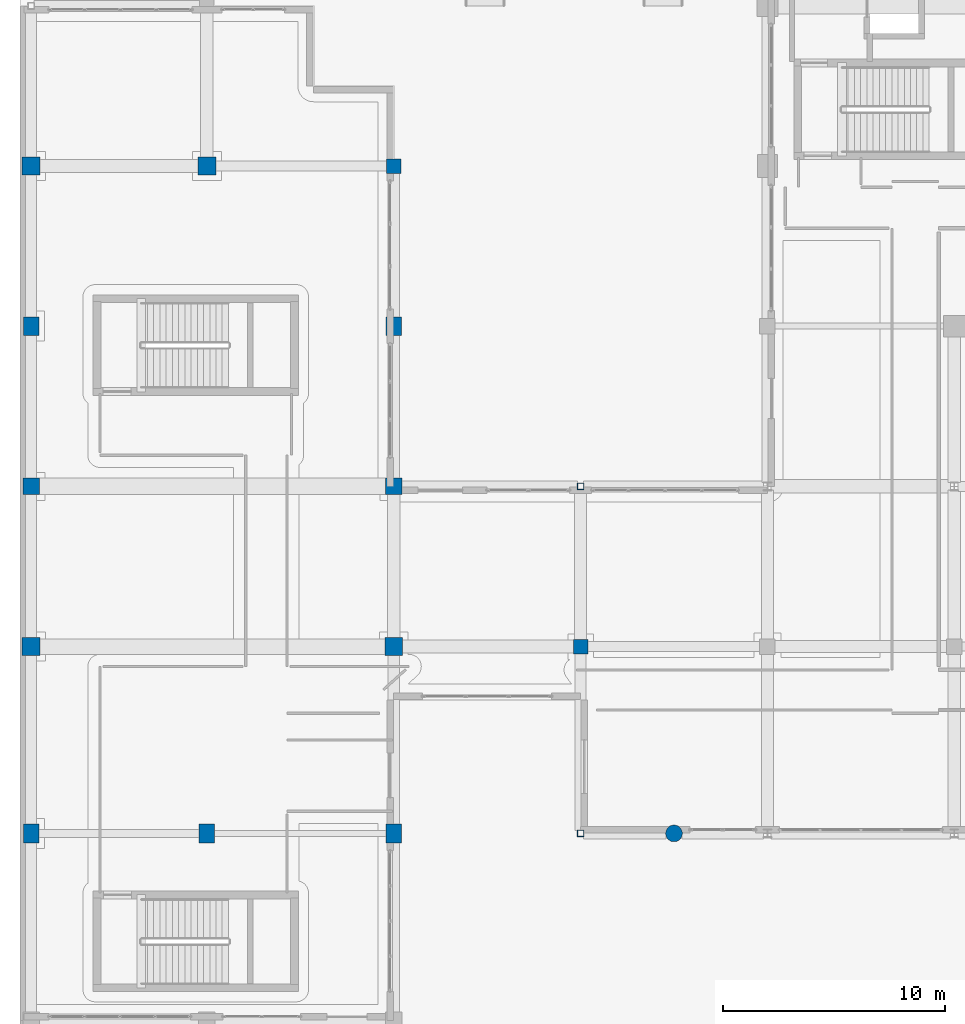
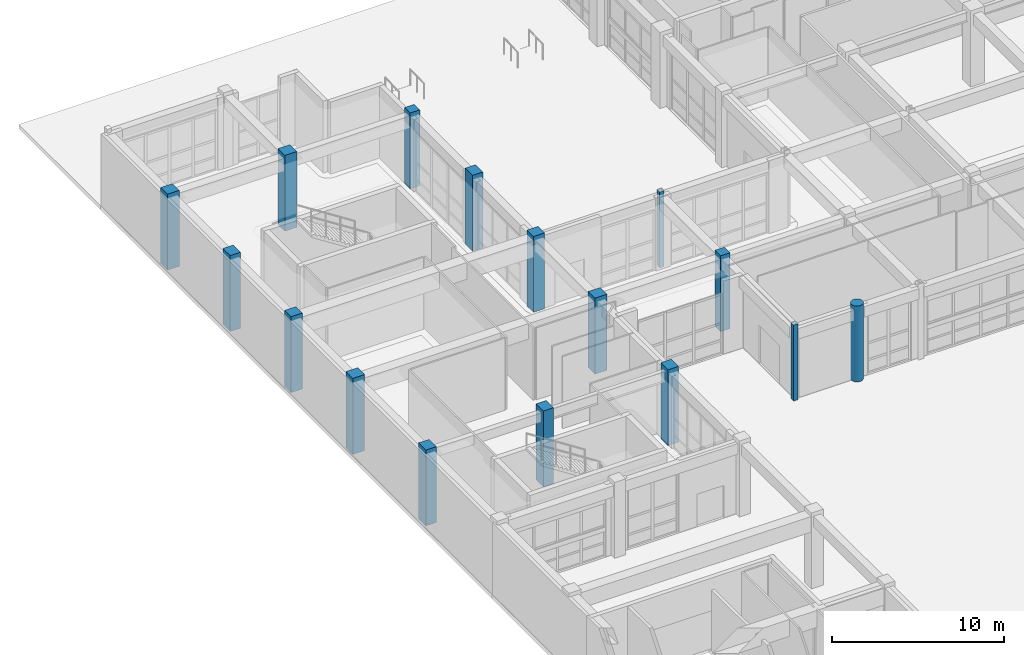
# One storey, part 6 of 148: 16 columns.
"""IFC4 building model written with IfcOpenShell, lengths in metres."""

import ifcopenshell
import ifcopenshell.guid

model = None  # the IFC model being written
_history = None  # IfcOwnerHistory: only IFC2X3 demands one
_inside = {}  # id of a spatial element -> (the spatial element, [elements in it])
_under = {}  # id of a project, library or spatial element -> (it, [spatial elements below it])
_declared = {}  # id of a project -> (the project, [libraries it declares])
_typed = {}  # id of a type object -> (the type object, [elements of that type])
_made_of = {}  # id of a material, layer set ... -> (it, [elements and type objects made of it])


def new_model(schema):
    """Start an empty IFC model of exactly this schema.

    Asked for "IFC4X3", IfcOpenShell would pick the latest addendum, in which some entities
    have other attributes; the version numbers below select the first issue.
    IFC2X3 requires an IfcOwnerHistory on every rooted entity: one is made here for all.
    """
    global model, _history
    if schema == "IFC4X3":
        model = ifcopenshell.file(schema_version=(4, 3, 0, 0))
    else:
        model = ifcopenshell.file(schema=schema)
    _inside.clear()
    _under.clear()
    _declared.clear()
    _typed.clear()
    _made_of.clear()
    _history = None
    if model.schema == "IFC2X3":
        org = make("IfcOrganization", Name="unknown")
        user = make(
            "IfcPersonAndOrganization",
            ThePerson=make("IfcPerson", FamilyName="unknown"),
            TheOrganization=org,
        )
        app = make(
            "IfcApplication",
            ApplicationDeveloper=org,
            Version="unknown",
            ApplicationFullName="unknown",
            ApplicationIdentifier="unknown",
        )
        _history = make(
            "IfcOwnerHistory",
            OwningUser=user,
            OwningApplication=app,
            ChangeAction="ADDED",
            CreationDate=0,
        )
    return model


def make(cls, **values):
    """One entity of the class cls with the attributes given. An attribute that is None is left unset."""
    return model.create_entity(
        cls, **{name: value for name, value in values.items() if value is not None}
    )


def rooted(cls, **values):
    """An entity with a GlobalId (a new one), such as an element, a storey or a relation."""
    return make(cls, GlobalId=ifcopenshell.guid.new(), OwnerHistory=_history, **values)


def si_unit(unit_type, name, prefix=None):
    """IfcSIUnit, for example si_unit("LENGTHUNIT", "METRE", prefix="MILLI")."""
    return make("IfcSIUnit", UnitType=unit_type, Prefix=prefix, Name=name)


def assignment(units):
    """IfcUnitAssignment: the units of a project."""
    return None if units is None else make("IfcUnitAssignment", Units=units)


def point(xyz):
    """IfcCartesianPoint."""
    return None if xyz is None else make("IfcCartesianPoint", Coordinates=xyz)


def direction(xyz):
    """IfcDirection."""
    return None if xyz is None else make("IfcDirection", DirectionRatios=xyz)


def frame(location, z_axis=None, x_axis=None):
    """IfcAxis2Placement3D, a coordinate frame: its origin and axes. An axis left out is left unset."""
    return make(
        "IfcAxis2Placement3D",
        Location=point(location),
        Axis=direction(z_axis),
        RefDirection=direction(x_axis),
    )


def frame_2d(location, x_axis=None):
    """IfcAxis2Placement2D, a coordinate frame in the plane: its origin and x axis."""
    return make(
        "IfcAxis2Placement2D", Location=point(location), RefDirection=direction(x_axis)
    )


def origin():
    """The frame at (0, 0, 0) with its axes left unset."""
    return frame((0.0, 0.0, 0.0))


def origin_2d():
    """The frame at (0, 0) in the plane with its x axis left unset."""
    return frame_2d((0.0, 0.0))


def place(relative_to, where):
    """IfcLocalPlacement: puts the frame where relative to a parent placement (None: the world)."""
    return make(
        "IfcLocalPlacement", PlacementRelTo=relative_to, RelativePlacement=where
    )


def context(
    kind, dimensions, precision=None, world=None, true_north=None, identifier=None
):
    """IfcGeometricRepresentationContext, for example the 3D "Model" context."""
    return make(
        "IfcGeometricRepresentationContext",
        ContextIdentifier=identifier,
        ContextType=kind,
        CoordinateSpaceDimension=dimensions,
        Precision=precision,
        WorldCoordinateSystem=world,
        TrueNorth=true_north,
    )


def subcontext(parent, identifier, kind, view, scale=None):
    """IfcGeometricRepresentationSubContext, for example "Body" below "Model"."""
    return make(
        "IfcGeometricRepresentationSubContext",
        ContextIdentifier=identifier,
        ContextType=kind,
        ParentContext=parent,
        TargetScale=scale,
        TargetView=view,
    )


def project(units=None, contexts=None):
    """IfcProject with its units and contexts."""
    return rooted(
        "IfcProject",
        Name="project",
        RepresentationContexts=contexts,
        UnitsInContext=assignment(units),
    )


def spatial(cls, under=None, at=None, **own):
    """A site, building, storey or space (cls), placed at a placement, below another one or the project."""
    s = rooted(cls, ObjectPlacement=at, **own)
    if under is not None:
        _under.setdefault(under.id(), (under, []))[1].append(s)
    return s


def profile(cls, at=None, kind="AREA", **sizes):
    """A parametric profile (cls). Its sizes go by their IFC names, for example OverallWidth=200.0."""
    return make(cls, ProfileType=kind, Position=at, **sizes)


def rectangle(**sizes):
    """IfcRectangleProfileDef."""
    return profile("IfcRectangleProfileDef", **sizes)


def hollow_rectangle(**sizes):
    """IfcRectangleHollowProfileDef."""
    return profile("IfcRectangleHollowProfileDef", **sizes)


def circle(**sizes):
    """IfcCircleProfileDef."""
    return profile("IfcCircleProfileDef", **sizes)


def extrude(swept, where, along, depth):
    """IfcExtrudedAreaSolid: the profile swept, set in the frame where, extruded along a direction by depth."""
    return make(
        "IfcExtrudedAreaSolid",
        SweptArea=swept,
        Position=where,
        ExtrudedDirection=direction(along),
        Depth=depth,
    )


def shape(context_of_items, identifier, shape_type, items):
    """IfcShapeRepresentation: the items that make up one representation, for example the "Body"."""
    return make(
        "IfcShapeRepresentation",
        ContextOfItems=context_of_items,
        RepresentationIdentifier=identifier,
        RepresentationType=shape_type,
        Items=items,
    )


def material(Name=None, Category=None):
    """IfcMaterial."""
    return make("IfcMaterial", Name=Name, Category=Category)


def material_profile(
    of_material, cross_section, Name=None, Category=None, Priority=None
):
    """IfcMaterialProfile: a cross section and its material."""
    return make(
        "IfcMaterialProfile",
        Name=Name,
        Material=of_material,
        Profile=cross_section,
        Priority=Priority,
        Category=Category,
    )


def profile_set(profiles, Name=None, composite=None):
    """IfcMaterialProfileSet."""
    return make(
        "IfcMaterialProfileSet",
        Name=Name,
        MaterialProfiles=profiles,
        CompositeProfile=composite,
    )


def made_of(thing, what):
    """Note that an element or type object is made of a material, layer set ...; save() writes the relation."""
    if what is not None:
        _made_of.setdefault(what.id(), (what, []))[1].append(thing)
    return thing


def type_object(cls, material=None, **own):
    """A type object (cls), such as IfcWallType, which elements share."""
    return made_of(rooted(cls, **own), material)


def element(
    cls,
    number,
    at=None,
    inside=None,
    cuts=None,
    type_object=None,
    material=None,
    context=None,
    identifier="Body",
    shape_type=None,
    held_by="IfcProductDefinitionShape",
    body=None,
    shapes=None,
    **own,
):
    """One element of the class cls, such as IfcWall. Its Tag is "e" and its number.

    at: its placement. inside: the storey or other place that contains it. cuts: it is an
    opening in that element (IfcRelVoidsElement). A single representation is given by context,
    identifier, shape_type and body (its items); several are given by shapes. held_by: the class
    of the entity that holds the representations. save() writes the other relations.
    """
    e = rooted(cls, Tag="e%d" % number, ObjectPlacement=at, **own)
    if body is not None:
        shapes = [shape(context, identifier, shape_type, body)]
    if shapes is not None:
        e.Representation = make(held_by, Representations=shapes)
    if inside is not None:
        _inside.setdefault(inside.id(), (inside, []))[1].append(e)
    if cuts is not None:
        rooted(
            "IfcRelVoidsElement", RelatingBuildingElement=cuts, RelatedOpeningElement=e
        )
    if type_object is not None:
        _typed.setdefault(type_object.id(), (type_object, []))[1].append(e)
    return made_of(e, material)


def aggregate(whole, parts):
    """IfcRelAggregates: a whole, such as a stair, and the parts it consists of."""
    return rooted("IfcRelAggregates", RelatingObject=whole, RelatedObjects=parts)


def save(model, path):
    """Write the relations noted so far, then the file.

    IfcRelAggregates (storeys below a building ...), IfcRelContainedInSpatialStructure (elements
    in a storey), IfcRelDefinesByType, IfcRelAssociatesMaterial and IfcRelDeclares: one each for
    every whole, place, type object, material and project.
    """
    for whole, parts in _under.values():
        aggregate(whole, parts)
    for where, things in _inside.values():
        rooted(
            "IfcRelContainedInSpatialStructure",
            RelatedElements=things,
            RelatingStructure=where,
        )
    for kind, things in _typed.values():
        rooted("IfcRelDefinesByType", RelatedObjects=things, RelatingType=kind)
    for what, things in _made_of.values():
        rooted("IfcRelAssociatesMaterial", RelatedObjects=things, RelatingMaterial=what)
    for by, libraries in _declared.values():
        rooted("IfcRelDeclares", RelatingContext=by, RelatedDefinitions=libraries)
    model.write(path)


model = new_model("IFC4")

# Units and contexts
model_context = context("Model", 3, precision=1e-05, world=origin(), true_north=direction((0.0, 1.0)))
body_context = subcontext(model_context, "Body", "Model", "MODEL_VIEW")
ifc_project = project(units=[si_unit("LENGTHUNIT", "METRE"), si_unit("AREAUNIT", "SQUARE_METRE"), si_unit("VOLUMEUNIT", "CUBIC_METRE"), si_unit("PLANEANGLEUNIT", "RADIAN"), si_unit("MASSUNIT", "GRAM", prefix="KILO")], contexts=[model_context])

# Site, building, storey
site_placement = place(None, origin())
site = spatial("IfcSite", under=ifc_project, at=site_placement, CompositionType="ELEMENT")
building_placement = place(site_placement, origin())
building = spatial("IfcBuilding", under=site, at=building_placement, Name="Quendrovan Civic Courthouse", CompositionType="ELEMENT")
storey_placement = place(building_placement, origin())
storey = spatial("IfcBuildingStorey", under=building, at=storey_placement, Name="L01", CompositionType="ELEMENT", Elevation=0.0)

# Columns
ifc_material_1 = material(Name="Precast concrete C45/55", Category="concrete")
ifc_material_profile_1 = material_profile(ifc_material_1, circle(Radius=0.375, at=origin_2d()), Name="RC-ARCADE-D750")
ifc_profile_set_1 = profile_set([ifc_material_profile_1], Name="Precast concrete C45/55")
column_type_1 = type_object("IfcColumnType", Name="COL-ARC750", PredefinedType="PILASTER", material=ifc_profile_set_1)
column_placement = place(storey_placement, frame((29.39990234375, 64.800048828125, 0.0), z_axis=(0.0, 0.0, 1.0), x_axis=(1.0, 0.0, 0.0)))
element("IfcColumn", 1, at=column_placement, inside=storey, type_object=column_type_1, Name="L01 Column PIL-C2", PredefinedType="PILASTER", context=body_context, shape_type="SweptSolid", body=[
    extrude(circle(Radius=0.375, at=origin_2d()), origin(), (0.0, 0.0, 1.0), 5.39990234375),
])
ifc_material_2 = material(Name="Concrete C40/50", Category="concrete")
ifc_material_profile_2 = material_profile(ifc_material_2, rectangle(XDim=0.699951171875, YDim=0.85009765625, at=origin_2d()), Name="RC-COL-700x850")
ifc_profile_set_2 = profile_set([ifc_material_profile_2], Name="Concrete C40/50")
column_type_2 = type_object("IfcColumnType", Name="COL-RC-700x850", PredefinedType="COLUMN", material=ifc_profile_set_2)
for number, where, z_axis, x_axis, name in (
    (2, (0.5, 64.800048828125, 0.0), (0.0, 0.0, 1.0), (1.0, 0.0, 0.0), "L01 Column 1-J"),
    (3, (0.5, 87.60009765625, 0.0), (0.0, 0.0, 1.0), (1.0, 0.0, 0.0), "L01 Column 1-M"),
    (4, (8.39990234375, 64.800048828125, 0.0), (0.0, 0.0, 1.0), (1.0, 0.0, 0.0), "L01 Column 2-J"),
    (5, (16.800048828125, 64.800048828125, 0.0), (0.0, 0.0, 1.0), (1.0, 0.0, 0.0), "L01 Column 3-J"),
    (6, (16.800048828125, 87.60009765625, 0.0), (0.0, 0.0, 1.0), (1.0, 0.0, 0.0), "L01 Column 3-M"),
):
    element("IfcColumn", number, at=place(storey_placement, frame(where, z_axis=z_axis, x_axis=x_axis)), inside=storey, type_object=column_type_2, Name=name, PredefinedType="COLUMN", context=body_context, shape_type="SweptSolid", body=[
        extrude(rectangle(XDim=0.699951171875, YDim=0.85009765625, at=origin_2d()), origin(), (0.0, 0.0, 1.0), 5.39990234375),
    ])
ifc_material_3 = material(Name="Concrete C45/55", Category="concrete")
ifc_material_profile_3 = material_profile(ifc_material_3, rectangle(XDim=0.64990234375, YDim=0.64990234375, at=origin_2d()), Name="RC-COL-650x650")
ifc_profile_set_3 = profile_set([ifc_material_profile_3], Name="Concrete C45/55")
column_type_3 = type_object("IfcColumnType", Name="COL-RC650", PredefinedType="COLUMN", material=ifc_profile_set_3)
for number, where, z_axis, x_axis, name in (
    (7, (16.800048828125, 94.800048828125, 0.0), (0.0, 0.0, 1.0), (1.0, 0.0, 0.0), "L01 Column 3-N"),
    (8, (25.199951171875, 73.199951171875, 0.0), (0.0, 0.0, 1.0), (1.0, 0.0, 0.0), "L01 Column 4-K"),
):
    element("IfcColumn", number, at=place(storey_placement, frame(where, z_axis=z_axis, x_axis=x_axis)), inside=storey, type_object=column_type_3, Name=name, PredefinedType="COLUMN", context=body_context, shape_type="SweptSolid", body=[
        extrude(rectangle(XDim=0.64990234375, YDim=0.64990234375, at=origin_2d()), origin(), (0.0, 0.0, 1.0), 5.39990234375),
    ])
ifc_material_profile_4 = material_profile(ifc_material_3, rectangle(XDim=0.75, YDim=0.75, at=origin_2d()), Name="RC-COL-750x750")
ifc_profile_set_4 = profile_set([ifc_material_profile_4], Name="Concrete C45/55")
column_type_4 = type_object("IfcColumnType", Name="COL-RC750", PredefinedType="COLUMN", material=ifc_profile_set_4)
for number, where, z_axis, x_axis, name in (
    (9, (0.5, 80.39990234375, 0.0), (0.0, 0.0, 1.0), (1.0, 0.0, 0.0), "L01 Column 1-L"),
    (10, (16.800048828125, 80.39990234375, 0.0), (0.0, 0.0, 1.0), (1.0, 0.0, 0.0), "L01 Column 3-L"),
):
    element("IfcColumn", number, at=place(storey_placement, frame(where, z_axis=z_axis, x_axis=x_axis)), inside=storey, type_object=column_type_4, Name=name, PredefinedType="COLUMN", context=body_context, shape_type="SweptSolid", body=[
        extrude(rectangle(XDim=0.75, YDim=0.75, at=origin_2d()), origin(), (0.0, 0.0, 1.0), 5.39990234375),
    ])
ifc_material_profile_5 = material_profile(ifc_material_3, rectangle(XDim=0.800048828125, YDim=0.800048828125, at=origin_2d()), Name="RC-COL-800x800")
ifc_profile_set_5 = profile_set([ifc_material_profile_5], Name="Concrete C45/55")
column_type_5 = type_object("IfcColumnType", Name="COL-RC800", PredefinedType="COLUMN", material=ifc_profile_set_5)
for number, where, z_axis, x_axis, name in (
    (11, (0.5, 73.199951171875, 0.0), (0.0, 0.0, 1.0), (1.0, 0.0, 0.0), "L01 Column 1-K"),
    (12, (0.5, 94.800048828125, 0.0), (0.0, 0.0, 1.0), (1.0, 0.0, 0.0), "L01 Column 1-N"),
    (13, (8.39990234375, 94.800048828125, 0.0), (0.0, 0.0, 1.0), (1.0, 0.0, 0.0), "L01 Column 2-N"),
    (14, (16.800048828125, 73.199951171875, 0.0), (0.0, 0.0, 1.0), (1.0, 0.0, 0.0), "L01 Column 3-K"),
):
    element("IfcColumn", number, at=place(storey_placement, frame(where, z_axis=z_axis, x_axis=x_axis)), inside=storey, type_object=column_type_5, Name=name, PredefinedType="COLUMN", context=body_context, shape_type="SweptSolid", body=[
        extrude(rectangle(XDim=0.800048828125, YDim=0.800048828125, at=origin_2d()), origin(), (0.0, 0.0, 1.0), 5.39990234375),
    ])
ifc_material_4 = material(Name="Steel ASTM A500 Grade C", Category="steel")
ifc_material_profile_6 = material_profile(ifc_material_4, hollow_rectangle(XDim=0.300048828125, YDim=0.300048828125, WallThickness=0.011962890625, at=origin_2d()), Name="HSS300x300x12")
ifc_profile_set_6 = profile_set([ifc_material_profile_6], Name="Steel ASTM A500 Grade C")
column_type_6 = type_object("IfcColumnType", Name="COL-STL-HSS300S", PredefinedType="COLUMN", material=ifc_profile_set_6)
for number, where, z_axis, x_axis, name in (
    (15, (25.199951171875, 64.800048828125, 0.0), (0.0, 0.0, 1.0), (1.0, 0.0, 0.0), "L01 Column 4-J"),
    (16, (25.199951171875, 80.39990234375, 0.0), (0.0, 0.0, 1.0), (1.0, 0.0, 0.0), "L01 Column 4-L"),
):
    element("IfcColumn", number, at=place(storey_placement, frame(where, z_axis=z_axis, x_axis=x_axis)), inside=storey, type_object=column_type_6, Name=name, PredefinedType="COLUMN", context=body_context, shape_type="SweptSolid", body=[
        extrude(hollow_rectangle(XDim=0.300048828125, YDim=0.300048828125, WallThickness=0.011962890625, at=origin_2d()), origin(), (0.0, 0.0, 1.0), 5.39990234375),
    ])

save(model, "model.ifc")
